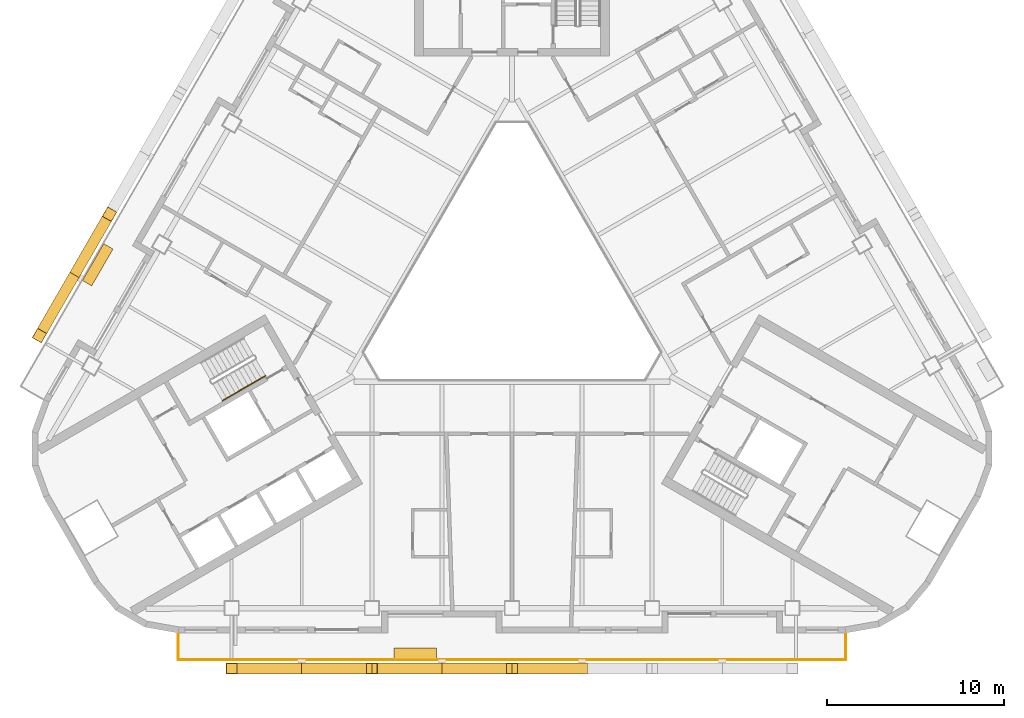
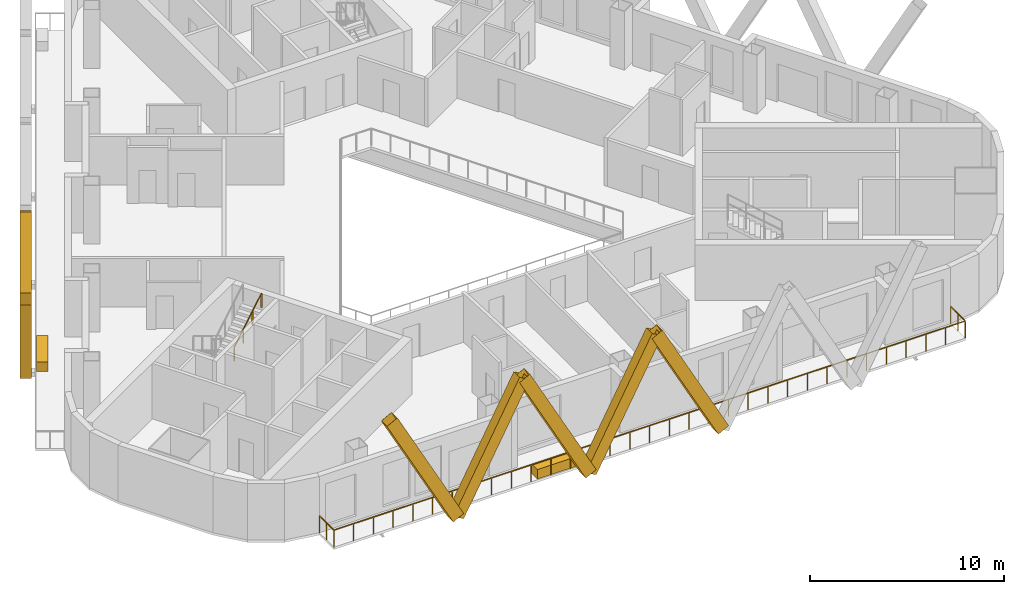
# One storey, part 8 of 13: 7 shading devices, 2 coverings, 2 railings.
"""IFC4 building model written with IfcOpenShell, lengths in metres."""

from ifc_helpers import new_model, si_unit, direction, frame, origin, origin_2d, place, context, subcontext, project, spatial, rectangle, hollow_rectangle, circle, extrude, material, material_profile, profile_set, type_object, element, save


model = new_model("IFC4")

# Units and contexts
model_context = context("Model", 3, precision=1e-05, world=origin(), true_north=direction((0.0, 1.0)))
body_context = subcontext(model_context, "Body", "Model", "MODEL_VIEW")
ifc_project = project(units=[si_unit("LENGTHUNIT", "METRE"), si_unit("AREAUNIT", "SQUARE_METRE"), si_unit("VOLUMEUNIT", "CUBIC_METRE"), si_unit("PLANEANGLEUNIT", "RADIAN"), si_unit("MASSUNIT", "GRAM", prefix="KILO")], contexts=[model_context])

# Site, building, storey
site_placement = place(None, origin())
site = spatial("IfcSite", under=ifc_project, at=site_placement, CompositionType="ELEMENT")
building_placement = place(site_placement, origin())
building = spatial("IfcBuilding", under=site, at=building_placement, Name="Apuvela Tower Hotel", CompositionType="ELEMENT")
storey_placement = place(building_placement, frame((0.0, 0.0, 183.60009765625)))
storey = spatial("IfcBuildingStorey", under=building, at=storey_placement, Name="L44", CompositionType="ELEMENT", Elevation=183.60009765625)

# Railing
ifc_material_1 = material(Name="Stainless steel 316 handrail", Category="steel")
railing_type_1 = type_object("IfcRailingType", Name="COR-HANDRAIL-900", PredefinedType="HANDRAIL", material=ifc_material_1)
railing_1_placement = place(storey_placement, frame((-16.31884765625, -6.534912109375, 2.01806640625)))
element("IfcRailing", 1, at=railing_1_placement, inside=storey, type_object=railing_type_1, Name="L44 ST2 stair handrail 2", PredefinedType="HANDRAIL", context=body_context, shape_type="SweptSolid", body=[
    extrude(circle(Radius=0.02392578125, at=origin_2d()), frame((0.0, 0.0, 0.8759765625), z_axis=(0.742390482028, 0.42860119049, 0.514934356695), x_axis=(-0.49998411664, 0.866034573852, 0.0)), (0.0, 0.0, 1.0), 3.26611328125),
    extrude(rectangle(XDim=0.0419921875, YDim=0.0419921875, at=origin_2d()), origin(), (0.0, 0.0, 1.0), 0.851806640625),
    extrude(rectangle(XDim=0.0419921875, YDim=0.0419921875, at=origin_2d()), frame((0.808349609375, 0.466552734375, 0.560546875)), (0.0, 0.0, 1.0), 0.851806640625),
    extrude(rectangle(XDim=0.0419921875, YDim=0.0419921875, at=origin_2d()), frame((1.616455078125, 0.933349609375, 1.121337890625)), (0.0, 0.0, 1.0), 0.851806640625),
    extrude(rectangle(XDim=0.0419921875, YDim=0.0419921875, at=origin_2d()), frame((2.4248046875, 1.39990234375, 1.681884765625)), (0.0, 0.0, 1.0), 0.851806640625),
])

# Shading devices
ifc_material_2 = material(Name="Aluminium 6063-T6, black anodised", Category="aluminium")
ifc_material_profile = material_profile(ifc_material_2, hollow_rectangle(XDim=0.60009765625, YDim=0.699951171875, WallThickness=0.011962890625, at=origin_2d()), Name="AL BOX 700x600x12")
ifc_profile_set = profile_set([ifc_material_profile], Name="Aluminium 6063-T6, black anodised")
shading_device_type = type_object("IfcShadingDeviceType", Name="ENV-FIN-700x600", PredefinedType="USERDEFINED", material=ifc_profile_set)
for number, where, z_axis, x_axis, name in (
    (2, (-11.85009765625, -21.6298828125, -0.10009765625), (-0.470897892863, 0.0, 0.882187720668), (0.0, -1.0, 0.0), "Lattice fin S329"),
    (3, (-11.85009765625, -21.6298828125, -0.10009765625), (0.470920543904, 0.0, 0.882175629526), (0.0, 1.0, 0.0), "Lattice fin S330"),
    (4, (-3.949951171875, -21.6298828125, -0.10009765625), (-0.470897892863, 0.0, 0.882187720668), (0.0, -1.0, 0.0), "Lattice fin S331"),
    (5, (-3.949951171875, -21.6298828125, -0.10009765625), (0.470897892863, 0.0, 0.882187720668), (0.0, 1.0, 0.0), "Lattice fin S332"),
    (6, (3.949951171875, -21.6298828125, -0.10009765625), (-0.470897892863, 0.0, 0.882187720668), (0.0, -1.0, 0.0), "Lattice fin S333"),
    (7, (-24.656982421875, 0.552490234375, -0.10009765625), (0.235433593518, 0.407824887177, 0.882184722404), (-0.866047669374, 0.499961432884, 0.0), "Lattice fin NW431"),
    (8, (-24.656982421875, 0.552490234375, -0.10009765625), (-0.235463880167, -0.407797827568, 0.882189148067), (0.866005453737, -0.500034552904, 0.0), "Lattice fin NW432"),
):
    element("IfcShadingDevice", number, at=place(storey_placement, frame(where, z_axis=z_axis, x_axis=x_axis)), inside=storey, type_object=shading_device_type, Name=name, ObjectType="FIN", PredefinedType="USERDEFINED", context=body_context, shape_type="SweptSolid", body=[
        extrude(hollow_rectangle(XDim=0.60009765625, YDim=0.699951171875, WallThickness=0.011962890625, at=origin_2d()), origin(), (0.0, 0.0, 1.0), 8.38818359375),
    ])

# Railing
ifc_material_3 = material(Name="Stainless steel 316 rail with laminated glass infill", Category="steel")
railing_type_2 = type_object("IfcRailingType", Name="ENV-GUARD-1100", PredefinedType="GUARDRAIL", material=ifc_material_3)
railing_2_placement = place(storey_placement, frame((-18.81591796875, -19.6298828125, 0.0)))
element("IfcRailing", 9, at=railing_2_placement, inside=storey, type_object=railing_type_2, Name="Balcony guard S L44", PredefinedType="GUARDRAIL", context=body_context, shape_type="SweptSolid", body=[
    extrude(rectangle(XDim=0.050048828125, YDim=0.050048828125, at=origin_2d()), frame((0.0, 0.0, 1.0751953125), z_axis=(0.0, -1.0, 0.0), x_axis=(1.0, 0.0, 0.0)), (0.0, 0.0, 1.0), 1.5),
    extrude(rectangle(XDim=0.050048828125, YDim=0.050048828125, at=origin_2d()), frame((0.0, -1.5, 1.0751953125), z_axis=(1.0, 0.0, 0.0), x_axis=(0.0, 1.0, 0.0)), (0.0, 0.0, 1.0), 37.6318359375),
    extrude(rectangle(XDim=0.050048828125, YDim=0.050048828125, at=origin_2d()), frame((37.6318359375, -1.5, 1.0751953125), z_axis=(0.0, 1.0, 0.0), x_axis=(-1.0, 0.0, 0.0)), (0.0, 0.0, 1.0), 1.5),
    extrude(rectangle(XDim=0.0400390625, YDim=0.0400390625, at=origin_2d()), origin(), (0.0, 0.0, 1.0), 1.050048828125),
    extrude(rectangle(XDim=0.0400390625, YDim=0.0400390625, at=origin_2d()), frame((0.0, -0.75, 0.0)), (0.0, 0.0, 1.0), 1.050048828125),
    extrude(rectangle(XDim=0.0400390625, YDim=0.0400390625, at=origin_2d()), frame((0.0, -1.5, 0.0)), (0.0, 0.0, 1.0), 1.050048828125),
    extrude(rectangle(XDim=0.0400390625, YDim=0.0400390625, at=origin_2d()), frame((1.176025390625, -1.5, 0.0)), (0.0, 0.0, 1.0), 1.050048828125),
    extrude(rectangle(XDim=0.0400390625, YDim=0.0400390625, at=origin_2d()), frame((2.35205078125, -1.5, 0.0)), (0.0, 0.0, 1.0), 1.050048828125),
    extrude(rectangle(XDim=0.0400390625, YDim=0.0400390625, at=origin_2d()), frame((3.528076171875, -1.5, 0.0)), (0.0, 0.0, 1.0), 1.050048828125),
    extrude(rectangle(XDim=0.0400390625, YDim=0.0400390625, at=origin_2d()), frame((4.7041015625, -1.5, 0.0)), (0.0, 0.0, 1.0), 1.050048828125),
    extrude(rectangle(XDim=0.0400390625, YDim=0.0400390625, at=origin_2d()), frame((5.8798828125, -1.5, 0.0)), (0.0, 0.0, 1.0), 1.050048828125),
    extrude(rectangle(XDim=0.0400390625, YDim=0.0400390625, at=origin_2d()), frame((7.055908203125, -1.5, 0.0)), (0.0, 0.0, 1.0), 1.050048828125),
    extrude(rectangle(XDim=0.0400390625, YDim=0.0400390625, at=origin_2d()), frame((8.23193359375, -1.5, 0.0)), (0.0, 0.0, 1.0), 1.050048828125),
    extrude(rectangle(XDim=0.0400390625, YDim=0.0400390625, at=origin_2d()), frame((9.407958984375, -1.5, 0.0)), (0.0, 0.0, 1.0), 1.050048828125),
    extrude(rectangle(XDim=0.0400390625, YDim=0.0400390625, at=origin_2d()), frame((10.583984375, -1.5, 0.0)), (0.0, 0.0, 1.0), 1.050048828125),
    extrude(rectangle(XDim=0.0400390625, YDim=0.0400390625, at=origin_2d()), frame((11.760009765625, -1.5, 0.0)), (0.0, 0.0, 1.0), 1.050048828125),
    extrude(rectangle(XDim=0.0400390625, YDim=0.0400390625, at=origin_2d()), frame((12.93603515625, -1.5, 0.0)), (0.0, 0.0, 1.0), 1.050048828125),
    extrude(rectangle(XDim=0.0400390625, YDim=0.0400390625, at=origin_2d()), frame((14.11181640625, -1.5, 0.0)), (0.0, 0.0, 1.0), 1.050048828125),
    extrude(rectangle(XDim=0.0400390625, YDim=0.0400390625, at=origin_2d()), frame((15.287841796875, -1.5, 0.0)), (0.0, 0.0, 1.0), 1.050048828125),
    extrude(rectangle(XDim=0.0400390625, YDim=0.0400390625, at=origin_2d()), frame((16.4638671875, -1.5, 0.0)), (0.0, 0.0, 1.0), 1.050048828125),
    extrude(rectangle(XDim=0.0400390625, YDim=0.0400390625, at=origin_2d()), frame((17.639892578125, -1.5, 0.0)), (0.0, 0.0, 1.0), 1.050048828125),
    extrude(rectangle(XDim=0.0400390625, YDim=0.0400390625, at=origin_2d()), frame((18.81591796875, -1.5, 0.0)), (0.0, 0.0, 1.0), 1.050048828125),
    extrude(rectangle(XDim=0.0400390625, YDim=0.0400390625, at=origin_2d()), frame((19.991943359375, -1.5, 0.0)), (0.0, 0.0, 1.0), 1.050048828125),
    extrude(rectangle(XDim=0.0400390625, YDim=0.0400390625, at=origin_2d()), frame((21.16796875, -1.5, 0.0)), (0.0, 0.0, 1.0), 1.050048828125),
    extrude(rectangle(XDim=0.0400390625, YDim=0.0400390625, at=origin_2d()), frame((22.343994140625, -1.5, 0.0)), (0.0, 0.0, 1.0), 1.050048828125),
    extrude(rectangle(XDim=0.0400390625, YDim=0.0400390625, at=origin_2d()), frame((23.52001953125, -1.5, 0.0)), (0.0, 0.0, 1.0), 1.050048828125),
    extrude(rectangle(XDim=0.0400390625, YDim=0.0400390625, at=origin_2d()), frame((24.69580078125, -1.5, 0.0)), (0.0, 0.0, 1.0), 1.050048828125),
    extrude(rectangle(XDim=0.0400390625, YDim=0.0400390625, at=origin_2d()), frame((25.871826171875, -1.5, 0.0)), (0.0, 0.0, 1.0), 1.050048828125),
    extrude(rectangle(XDim=0.0400390625, YDim=0.0400390625, at=origin_2d()), frame((27.0478515625, -1.5, 0.0)), (0.0, 0.0, 1.0), 1.050048828125),
    extrude(rectangle(XDim=0.0400390625, YDim=0.0400390625, at=origin_2d()), frame((28.223876953125, -1.5, 0.0)), (0.0, 0.0, 1.0), 1.050048828125),
    extrude(rectangle(XDim=0.0400390625, YDim=0.0400390625, at=origin_2d()), frame((29.39990234375, -1.5, 0.0)), (0.0, 0.0, 1.0), 1.050048828125),
    extrude(rectangle(XDim=0.0400390625, YDim=0.0400390625, at=origin_2d()), frame((30.575927734375, -1.5, 0.0)), (0.0, 0.0, 1.0), 1.050048828125),
    extrude(rectangle(XDim=0.0400390625, YDim=0.0400390625, at=origin_2d()), frame((31.751953125, -1.5, 0.0)), (0.0, 0.0, 1.0), 1.050048828125),
    extrude(rectangle(XDim=0.0400390625, YDim=0.0400390625, at=origin_2d()), frame((32.927734375, -1.5, 0.0)), (0.0, 0.0, 1.0), 1.050048828125),
    extrude(rectangle(XDim=0.0400390625, YDim=0.0400390625, at=origin_2d()), frame((34.103759765625, -1.5, 0.0)), (0.0, 0.0, 1.0), 1.050048828125),
    extrude(rectangle(XDim=0.0400390625, YDim=0.0400390625, at=origin_2d()), frame((35.27978515625, -1.5, 0.0)), (0.0, 0.0, 1.0), 1.050048828125),
    extrude(rectangle(XDim=0.0400390625, YDim=0.0400390625, at=origin_2d()), frame((36.455810546875, -1.5, 0.0)), (0.0, 0.0, 1.0), 1.050048828125),
    extrude(rectangle(XDim=0.0400390625, YDim=0.0400390625, at=origin_2d()), frame((37.6318359375, -1.5, 0.0)), (0.0, 0.0, 1.0), 1.050048828125),
    extrude(rectangle(XDim=0.0400390625, YDim=0.0400390625, at=origin_2d()), frame((37.6318359375, -0.75, 0.0)), (0.0, 0.0, 1.0), 1.050048828125),
    extrude(rectangle(XDim=0.0400390625, YDim=0.0400390625, at=origin_2d()), frame((37.6318359375, 0.0, 0.0)), (0.0, 0.0, 1.0), 1.050048828125),
])

# Coverings
ifc_material_4 = material(Name="Planting substrate and soil, planted")
covering_type = type_object("IfcCoveringType", Name="ENV-PLANTER-2400x600", PredefinedType="USERDEFINED", material=ifc_material_4)
for number, where, z_axis, x_axis, name in (
    (10, (-5.44970703125, -20.780029296875, -0.000244140625), (0.0, 0.0, 1.0), (1.0, 0.0, 0.0), "Planter S1"),
    (11, (-23.345947265625, 1.12353515625, -0.000244140625), (0.0, 0.0, 1.0), (-0.5, -0.866025403784, 0.0), "Planter NW5"),
):
    element("IfcCovering", number, at=place(storey_placement, frame(where, z_axis=z_axis, x_axis=x_axis)), inside=storey, type_object=covering_type, Name=name, ObjectType="PLANTER", PredefinedType="USERDEFINED", context=body_context, shape_type="SweptSolid", body=[
        extrude(rectangle(XDim=2.39990234375, YDim=0.60009765625, at=origin_2d()), origin(), (0.0, 0.0, 1.0), 0.60009765625),
    ])

save(model, "model.ifc")
